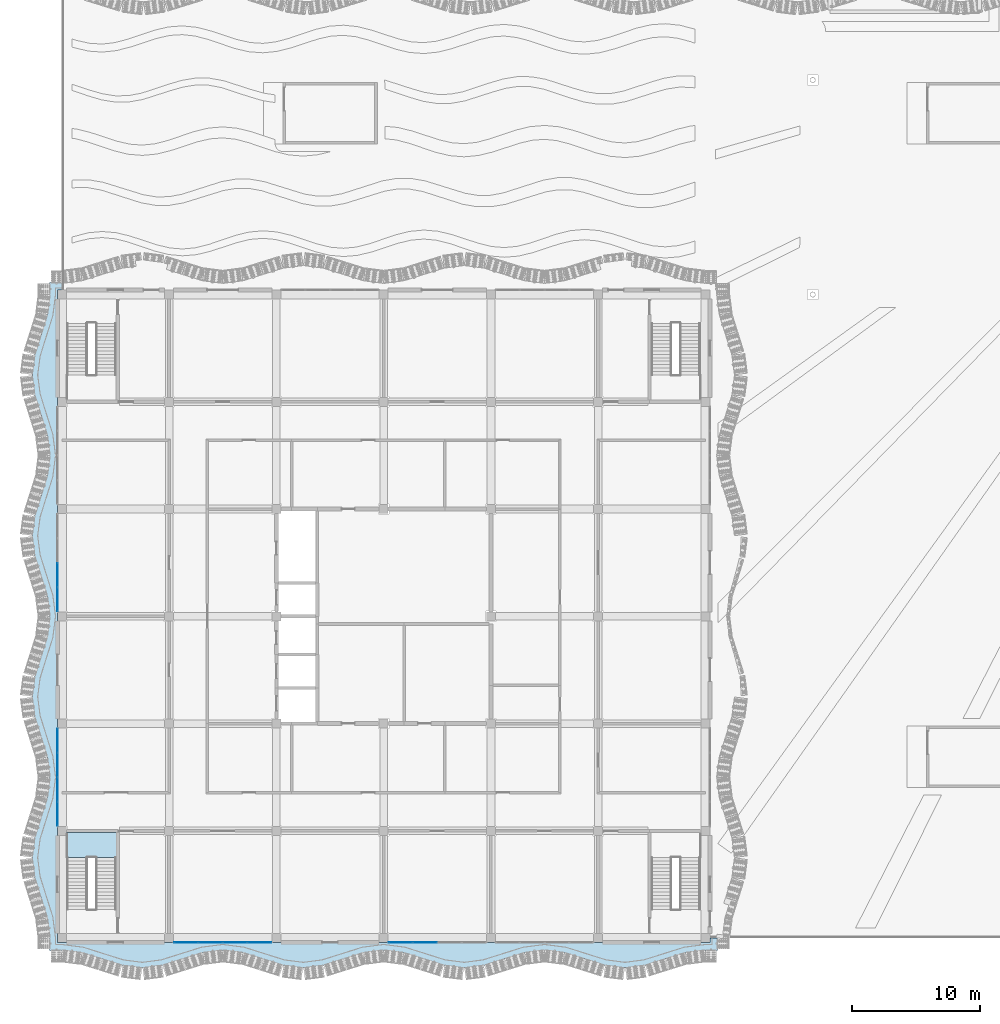
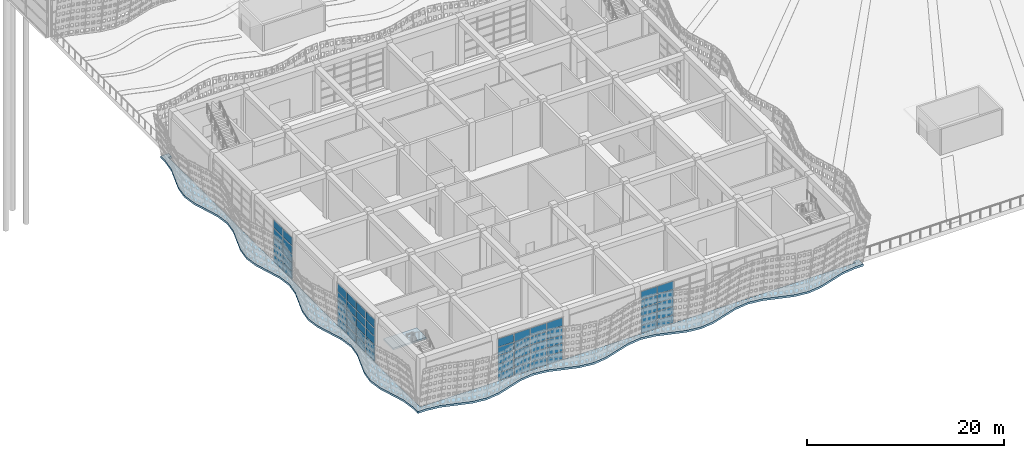
# One storey, part 77 of 210: 60 plates, 2 slabs, 5 elements without a shape of their own.
"""IFC4 building model written with IfcOpenShell, lengths in metres."""

from ifc_helpers import new_model, si_unit, direction, frame, origin, origin_2d, place, context, subcontext, project, spatial, polyline, rectangle, outline, extrude, material, layer, layer_set, type_object, element, aggregate, save


model = new_model("IFC4")

# Units and contexts
model_context = context("Model", 3, precision=1e-05, world=origin(), true_north=direction((0.0, 1.0)))
body_context = subcontext(model_context, "Body", "Model", "MODEL_VIEW")
ifc_project = project(units=[si_unit("LENGTHUNIT", "METRE"), si_unit("AREAUNIT", "SQUARE_METRE"), si_unit("VOLUMEUNIT", "CUBIC_METRE"), si_unit("PLANEANGLEUNIT", "RADIAN"), si_unit("MASSUNIT", "GRAM", prefix="KILO")], contexts=[model_context])

# Site, building, storey
site_placement = place(None, origin())
site = spatial("IfcSite", under=ifc_project, at=site_placement, CompositionType="ELEMENT")
building_placement = place(site_placement, origin())
building = spatial("IfcBuilding", under=site, at=building_placement, Name="Rain Tree Exposition and Congress Centre", CompositionType="ELEMENT")
storey_placement = place(building_placement, origin())
storey = spatial("IfcBuildingStorey", under=building, at=storey_placement, Name="L00", CompositionType="ELEMENT", Elevation=0.0)

# Slab
ifc_material_1 = material(Name="Concrete C40/50", Category="concrete")
ifc_layer_1 = layer(ifc_material_1, 0.25)
ifc_layer_set_1 = layer_set([ifc_layer_1], Name="Concrete C40/50")
slab_type_1 = type_object("IfcSlabType", Name="Wave ledge slab 250", PredefinedType="FLOOR", material=ifc_layer_set_1)
slab_1_placement = place(storey_placement, frame((0.0, 0.0, -0.25)))
element("IfcSlab", 1, at=slab_1_placement, inside=storey, type_object=slab_type_1, Name="wing/ledge/L00/01", PredefinedType="FLOOR", context=body_context, shape_type="SweptSolid", body=[
    extrude(outline(polyline([(-1.155029296875, 1.574951171875), (-0.949951171875, 0.0), (-0.949951171875, -0.949951171875), (0.0, -0.949951171875), (1.574951171875, -1.155029296875), (3.14990234375, -1.64990234375), (4.72509765625, -2.14501953125), (6.300048828125, -2.35009765625), (7.875, -2.14501953125), (9.449951171875, -1.64990234375), (11.02490234375, -1.155029296875), (12.60009765625, -0.949951171875), (14.175048828125, -1.155029296875), (15.75, -1.64990234375), (17.324951171875, -2.14501953125), (18.89990234375, -2.35009765625), (20.47509765625, -2.14501953125), (22.050048828125, -1.64990234375), (23.625, -1.155029296875), (25.199951171875, -0.949951171875), (26.77490234375, -1.155029296875), (28.35009765625, -1.64990234375), (29.925048828125, -2.14501953125), (31.5, -2.35009765625), (33.074951171875, -2.14501953125), (34.64990234375, -1.64990234375), (36.22509765625, -1.155029296875), (37.800048828125, -0.949951171875), (39.375, -1.155029296875), (40.949951171875, -1.64990234375), (42.52490234375, -2.14501953125), (44.10009765625, -2.35009765625), (45.675048828125, -2.14501953125), (47.25, -1.64990234375), (48.824951171875, -1.155029296875), (50.39990234375, -0.949951171875), (51.35009765625, -0.949951171875), (51.35009765625, 0.0), (50.75, 0.0), (50.75, -0.35009765625), (-0.35009765625, -0.35009765625), (-0.35009765625, 50.75), (0.0, 50.75), (0.0, 51.35009765625), (-0.949951171875, 51.35009765625), (-0.949951171875, 50.39990234375), (-1.155029296875, 48.824951171875), (-1.64990234375, 47.25), (-2.14501953125, 45.675048828125), (-2.35009765625, 44.10009765625), (-2.14501953125, 42.52490234375), (-1.64990234375, 40.949951171875), (-1.155029296875, 39.375), (-0.949951171875, 37.800048828125), (-1.155029296875, 36.22509765625), (-1.64990234375, 34.64990234375), (-2.14501953125, 33.074951171875), (-2.35009765625, 31.5), (-2.14501953125, 29.925048828125), (-1.64990234375, 28.35009765625), (-1.155029296875, 26.77490234375), (-0.949951171875, 25.199951171875), (-1.155029296875, 23.625), (-1.64990234375, 22.050048828125), (-2.14501953125, 20.47509765625), (-2.35009765625, 18.89990234375), (-2.14501953125, 17.324951171875), (-1.64990234375, 15.75), (-1.155029296875, 14.175048828125), (-0.949951171875, 12.60009765625), (-1.155029296875, 11.02490234375), (-1.64990234375, 9.449951171875), (-2.14501953125, 7.875), (-2.35009765625, 6.300048828125), (-2.14501953125, 4.72509765625), (-1.64990234375, 3.14990234375), (-1.155029296875, 1.574951171875)])), origin(), (0.0, 0.0, 1.0), 0.25),
])

# Curtain wall, plates
ifc_material_2 = material(Name="Aluminium curtain wall", Category="aluminium")
curtain_wall_type = type_object("IfcCurtainWallType", Name="Wing curtain wall 1925", PredefinedType="NOTDEFINED", material=ifc_material_2)
curtain_wall_1_placement = place(storey_placement, origin())
curtain_wall_1 = element("IfcCurtainWall", 2, at=curtain_wall_1_placement, inside=storey, type_object=curtain_wall_type, Name="Curtain wall CWW101", PredefinedType="NOTDEFINED")
ifc_material_3 = material(Name="Double glazed unit", Category="glass")
ifc_layer_2 = layer(ifc_material_3, 0.028076171875)
ifc_layer_set_2 = layer_set([ifc_layer_2], Name="Double glazed unit")
plate_type = type_object("IfcPlateType", Name="Wing glazing panel 28", PredefinedType="CURTAIN_PANEL", material=ifc_layer_set_2)
plate_1_placement = place(storey_placement, frame((9.7275390625, -0.35009765625, 0.06005859375), z_axis=(0.0, 0.0, 1.0), x_axis=(1.0, 0.0, 0.0)))
plate_1 = element("IfcPlate", 3, at=plate_1_placement, type_object=plate_type, Name="CWW101 panel 1.1", PredefinedType="CURTAIN_PANEL", context=body_context, shape_type="SweptSolid", body=[
    extrude(rectangle(XDim=1.8349609375, YDim=0.028076171875, at=origin_2d()), origin(), (0.0, 0.0, 1.0), 0.9599609375),
])
plate_2_placement = place(storey_placement, frame((9.7275390625, -0.35009765625, 1.080078125), z_axis=(0.0, 0.0, 1.0), x_axis=(1.0, 0.0, 0.0)))
plate_2 = element("IfcPlate", 4, at=plate_2_placement, type_object=plate_type, Name="CWW101 panel 1.2", PredefinedType="CURTAIN_PANEL", context=body_context, shape_type="SweptSolid", body=[
    extrude(rectangle(XDim=1.8349609375, YDim=0.028076171875, at=origin_2d()), origin(), (0.0, 0.0, 1.0), 0.989990234375),
])
plate_3_placement = place(storey_placement, frame((9.7275390625, -0.35009765625, 2.1298828125), z_axis=(0.0, 0.0, 1.0), x_axis=(1.0, 0.0, 0.0)))
plate_3 = element("IfcPlate", 5, at=plate_3_placement, type_object=plate_type, Name="CWW101 panel 1.3", PredefinedType="CURTAIN_PANEL", context=body_context, shape_type="SweptSolid", body=[
    extrude(rectangle(XDim=1.8349609375, YDim=0.028076171875, at=origin_2d()), origin(), (0.0, 0.0, 1.0), 0.989990234375),
])
plate_4_placement = place(storey_placement, frame((9.7275390625, -0.35009765625, 3.18017578125), z_axis=(0.0, 0.0, 1.0), x_axis=(1.0, 0.0, 0.0)))
plate_4 = element("IfcPlate", 6, at=plate_4_placement, type_object=plate_type, Name="CWW101 panel 1.4", PredefinedType="CURTAIN_PANEL", context=body_context, shape_type="SweptSolid", body=[
    extrude(rectangle(XDim=1.8349609375, YDim=0.028076171875, at=origin_2d()), origin(), (0.0, 0.0, 1.0), 0.989990234375),
])
plate_5_placement = place(storey_placement, frame((9.7275390625, -0.35009765625, 4.22998046875), z_axis=(0.0, 0.0, 1.0), x_axis=(1.0, 0.0, 0.0)))
plate_5 = element("IfcPlate", 7, at=plate_5_placement, type_object=plate_type, Name="CWW101 panel 1.5", PredefinedType="CURTAIN_PANEL", context=body_context, shape_type="SweptSolid", body=[
    extrude(rectangle(XDim=1.8349609375, YDim=0.028076171875, at=origin_2d()), origin(), (0.0, 0.0, 1.0), 1.010009765625),
])
plate_6_placement = place(storey_placement, frame((11.637451171875, -0.35009765625, 0.06005859375), z_axis=(0.0, 0.0, 1.0), x_axis=(1.0, 0.0, 0.0)))
plate_6 = element("IfcPlate", 8, at=plate_6_placement, type_object=plate_type, Name="CWW101 panel 2.1", PredefinedType="CURTAIN_PANEL", context=body_context, shape_type="SweptSolid", body=[
    extrude(rectangle(XDim=1.864990234375, YDim=0.028076171875, at=origin_2d()), origin(), (0.0, 0.0, 1.0), 0.9599609375),
])
plate_7_placement = place(storey_placement, frame((11.637451171875, -0.35009765625, 1.080078125), z_axis=(0.0, 0.0, 1.0), x_axis=(1.0, 0.0, 0.0)))
plate_7 = element("IfcPlate", 9, at=plate_7_placement, type_object=plate_type, Name="CWW101 panel 2.2", PredefinedType="CURTAIN_PANEL", context=body_context, shape_type="SweptSolid", body=[
    extrude(rectangle(XDim=1.864990234375, YDim=0.028076171875, at=origin_2d()), origin(), (0.0, 0.0, 1.0), 0.989990234375),
])
plate_8_placement = place(storey_placement, frame((11.637451171875, -0.35009765625, 2.1298828125), z_axis=(0.0, 0.0, 1.0), x_axis=(1.0, 0.0, 0.0)))
plate_8 = element("IfcPlate", 10, at=plate_8_placement, type_object=plate_type, Name="CWW101 panel 2.3", PredefinedType="CURTAIN_PANEL", context=body_context, shape_type="SweptSolid", body=[
    extrude(rectangle(XDim=1.864990234375, YDim=0.028076171875, at=origin_2d()), origin(), (0.0, 0.0, 1.0), 0.989990234375),
])
plate_9_placement = place(storey_placement, frame((11.637451171875, -0.35009765625, 3.18017578125), z_axis=(0.0, 0.0, 1.0), x_axis=(1.0, 0.0, 0.0)))
plate_9 = element("IfcPlate", 11, at=plate_9_placement, type_object=plate_type, Name="CWW101 panel 2.4", PredefinedType="CURTAIN_PANEL", context=body_context, shape_type="SweptSolid", body=[
    extrude(rectangle(XDim=1.864990234375, YDim=0.028076171875, at=origin_2d()), origin(), (0.0, 0.0, 1.0), 0.989990234375),
])
plate_10_placement = place(storey_placement, frame((11.637451171875, -0.35009765625, 4.22998046875), z_axis=(0.0, 0.0, 1.0), x_axis=(1.0, 0.0, 0.0)))
plate_10 = element("IfcPlate", 12, at=plate_10_placement, type_object=plate_type, Name="CWW101 panel 2.5", PredefinedType="CURTAIN_PANEL", context=body_context, shape_type="SweptSolid", body=[
    extrude(rectangle(XDim=1.864990234375, YDim=0.028076171875, at=origin_2d()), origin(), (0.0, 0.0, 1.0), 1.010009765625),
])
plate_11_placement = place(storey_placement, frame((13.5625, -0.35009765625, 0.06005859375), z_axis=(0.0, 0.0, 1.0), x_axis=(1.0, 0.0, 0.0)))
plate_11 = element("IfcPlate", 13, at=plate_11_placement, type_object=plate_type, Name="CWW101 panel 3.1", PredefinedType="CURTAIN_PANEL", context=body_context, shape_type="SweptSolid", body=[
    extrude(rectangle(XDim=1.864990234375, YDim=0.028076171875, at=origin_2d()), origin(), (0.0, 0.0, 1.0), 0.9599609375),
])
plate_12_placement = place(storey_placement, frame((13.5625, -0.35009765625, 1.080078125), z_axis=(0.0, 0.0, 1.0), x_axis=(1.0, 0.0, 0.0)))
plate_12 = element("IfcPlate", 14, at=plate_12_placement, type_object=plate_type, Name="CWW101 panel 3.2", PredefinedType="CURTAIN_PANEL", context=body_context, shape_type="SweptSolid", body=[
    extrude(rectangle(XDim=1.864990234375, YDim=0.028076171875, at=origin_2d()), origin(), (0.0, 0.0, 1.0), 0.989990234375),
])
plate_13_placement = place(storey_placement, frame((13.5625, -0.35009765625, 2.1298828125), z_axis=(0.0, 0.0, 1.0), x_axis=(1.0, 0.0, 0.0)))
plate_13 = element("IfcPlate", 15, at=plate_13_placement, type_object=plate_type, Name="CWW101 panel 3.3", PredefinedType="CURTAIN_PANEL", context=body_context, shape_type="SweptSolid", body=[
    extrude(rectangle(XDim=1.864990234375, YDim=0.028076171875, at=origin_2d()), origin(), (0.0, 0.0, 1.0), 0.989990234375),
])
plate_14_placement = place(storey_placement, frame((13.5625, -0.35009765625, 3.18017578125), z_axis=(0.0, 0.0, 1.0), x_axis=(1.0, 0.0, 0.0)))
plate_14 = element("IfcPlate", 16, at=plate_14_placement, type_object=plate_type, Name="CWW101 panel 3.4", PredefinedType="CURTAIN_PANEL", context=body_context, shape_type="SweptSolid", body=[
    extrude(rectangle(XDim=1.864990234375, YDim=0.028076171875, at=origin_2d()), origin(), (0.0, 0.0, 1.0), 0.989990234375),
])
plate_15_placement = place(storey_placement, frame((13.5625, -0.35009765625, 4.22998046875), z_axis=(0.0, 0.0, 1.0), x_axis=(1.0, 0.0, 0.0)))
plate_15 = element("IfcPlate", 17, at=plate_15_placement, type_object=plate_type, Name="CWW101 panel 3.5", PredefinedType="CURTAIN_PANEL", context=body_context, shape_type="SweptSolid", body=[
    extrude(rectangle(XDim=1.864990234375, YDim=0.028076171875, at=origin_2d()), origin(), (0.0, 0.0, 1.0), 1.010009765625),
])
plate_16_placement = place(storey_placement, frame((15.472412109375, -0.35009765625, 0.06005859375), z_axis=(0.0, 0.0, 1.0), x_axis=(1.0, 0.0, 0.0)))
plate_16 = element("IfcPlate", 18, at=plate_16_placement, type_object=plate_type, Name="CWW101 panel 4.1", PredefinedType="CURTAIN_PANEL", context=body_context, shape_type="SweptSolid", body=[
    extrude(rectangle(XDim=1.8349609375, YDim=0.028076171875, at=origin_2d()), origin(), (0.0, 0.0, 1.0), 0.9599609375),
])
plate_17_placement = place(storey_placement, frame((15.472412109375, -0.35009765625, 1.080078125), z_axis=(0.0, 0.0, 1.0), x_axis=(1.0, 0.0, 0.0)))
plate_17 = element("IfcPlate", 19, at=plate_17_placement, type_object=plate_type, Name="CWW101 panel 4.2", PredefinedType="CURTAIN_PANEL", context=body_context, shape_type="SweptSolid", body=[
    extrude(rectangle(XDim=1.8349609375, YDim=0.028076171875, at=origin_2d()), origin(), (0.0, 0.0, 1.0), 0.989990234375),
])
plate_18_placement = place(storey_placement, frame((15.472412109375, -0.35009765625, 2.1298828125), z_axis=(0.0, 0.0, 1.0), x_axis=(1.0, 0.0, 0.0)))
plate_18 = element("IfcPlate", 20, at=plate_18_placement, type_object=plate_type, Name="CWW101 panel 4.3", PredefinedType="CURTAIN_PANEL", context=body_context, shape_type="SweptSolid", body=[
    extrude(rectangle(XDim=1.8349609375, YDim=0.028076171875, at=origin_2d()), origin(), (0.0, 0.0, 1.0), 0.989990234375),
])
plate_19_placement = place(storey_placement, frame((15.472412109375, -0.35009765625, 3.18017578125), z_axis=(0.0, 0.0, 1.0), x_axis=(1.0, 0.0, 0.0)))
plate_19 = element("IfcPlate", 21, at=plate_19_placement, type_object=plate_type, Name="CWW101 panel 4.4", PredefinedType="CURTAIN_PANEL", context=body_context, shape_type="SweptSolid", body=[
    extrude(rectangle(XDim=1.8349609375, YDim=0.028076171875, at=origin_2d()), origin(), (0.0, 0.0, 1.0), 0.989990234375),
])
plate_20_placement = place(storey_placement, frame((15.472412109375, -0.35009765625, 4.22998046875), z_axis=(0.0, 0.0, 1.0), x_axis=(1.0, 0.0, 0.0)))
plate_20 = element("IfcPlate", 22, at=plate_20_placement, type_object=plate_type, Name="CWW101 panel 4.5", PredefinedType="CURTAIN_PANEL", context=body_context, shape_type="SweptSolid", body=[
    extrude(rectangle(XDim=1.8349609375, YDim=0.028076171875, at=origin_2d()), origin(), (0.0, 0.0, 1.0), 1.010009765625),
])
aggregate(curtain_wall_1, [plate_1, plate_2, plate_3, plate_4, plate_5, plate_6, plate_7, plate_8, plate_9, plate_10, plate_11, plate_12, plate_13, plate_14, plate_15, plate_16, plate_17, plate_18, plate_19, plate_20])

curtain_wall_2_placement = place(storey_placement, origin())
curtain_wall_2 = element("IfcCurtainWall", 23, at=curtain_wall_2_placement, inside=storey, type_object=curtain_wall_type, Name="Curtain wall CWW102", PredefinedType="NOTDEFINED")
plate_21_placement = place(storey_placement, frame((26.527587890625, -0.35009765625, 0.06005859375), z_axis=(0.0, 0.0, 1.0), x_axis=(1.0, 0.0, 0.0)))
plate_21 = element("IfcPlate", 24, at=plate_21_placement, type_object=plate_type, Name="CWW102 panel 1.1", PredefinedType="CURTAIN_PANEL", context=body_context, shape_type="SweptSolid", body=[
    extrude(rectangle(XDim=1.8349609375, YDim=0.028076171875, at=origin_2d()), origin(), (0.0, 0.0, 1.0), 0.9599609375),
])
plate_22_placement = place(storey_placement, frame((26.527587890625, -0.35009765625, 1.080078125), z_axis=(0.0, 0.0, 1.0), x_axis=(1.0, 0.0, 0.0)))
plate_22 = element("IfcPlate", 25, at=plate_22_placement, type_object=plate_type, Name="CWW102 panel 1.2", PredefinedType="CURTAIN_PANEL", context=body_context, shape_type="SweptSolid", body=[
    extrude(rectangle(XDim=1.8349609375, YDim=0.028076171875, at=origin_2d()), origin(), (0.0, 0.0, 1.0), 0.989990234375),
])
plate_23_placement = place(storey_placement, frame((26.527587890625, -0.35009765625, 2.1298828125), z_axis=(0.0, 0.0, 1.0), x_axis=(1.0, 0.0, 0.0)))
plate_23 = element("IfcPlate", 26, at=plate_23_placement, type_object=plate_type, Name="CWW102 panel 1.3", PredefinedType="CURTAIN_PANEL", context=body_context, shape_type="SweptSolid", body=[
    extrude(rectangle(XDim=1.8349609375, YDim=0.028076171875, at=origin_2d()), origin(), (0.0, 0.0, 1.0), 0.989990234375),
])
plate_24_placement = place(storey_placement, frame((26.527587890625, -0.35009765625, 3.18017578125), z_axis=(0.0, 0.0, 1.0), x_axis=(1.0, 0.0, 0.0)))
plate_24 = element("IfcPlate", 27, at=plate_24_placement, type_object=plate_type, Name="CWW102 panel 1.4", PredefinedType="CURTAIN_PANEL", context=body_context, shape_type="SweptSolid", body=[
    extrude(rectangle(XDim=1.8349609375, YDim=0.028076171875, at=origin_2d()), origin(), (0.0, 0.0, 1.0), 0.989990234375),
])
plate_25_placement = place(storey_placement, frame((26.527587890625, -0.35009765625, 4.22998046875), z_axis=(0.0, 0.0, 1.0), x_axis=(1.0, 0.0, 0.0)))
plate_25 = element("IfcPlate", 28, at=plate_25_placement, type_object=plate_type, Name="CWW102 panel 1.5", PredefinedType="CURTAIN_PANEL", context=body_context, shape_type="SweptSolid", body=[
    extrude(rectangle(XDim=1.8349609375, YDim=0.028076171875, at=origin_2d()), origin(), (0.0, 0.0, 1.0), 1.010009765625),
])
plate_26_placement = place(storey_placement, frame((28.4375, -0.35009765625, 0.06005859375), z_axis=(0.0, 0.0, 1.0), x_axis=(1.0, 0.0, 0.0)))
plate_26 = element("IfcPlate", 29, at=plate_26_placement, type_object=plate_type, Name="CWW102 panel 2.1", PredefinedType="CURTAIN_PANEL", context=body_context, shape_type="SweptSolid", body=[
    extrude(rectangle(XDim=1.864990234375, YDim=0.028076171875, at=origin_2d()), origin(), (0.0, 0.0, 1.0), 0.9599609375),
])
plate_27_placement = place(storey_placement, frame((28.4375, -0.35009765625, 1.080078125), z_axis=(0.0, 0.0, 1.0), x_axis=(1.0, 0.0, 0.0)))
plate_27 = element("IfcPlate", 30, at=plate_27_placement, type_object=plate_type, Name="CWW102 panel 2.2", PredefinedType="CURTAIN_PANEL", context=body_context, shape_type="SweptSolid", body=[
    extrude(rectangle(XDim=1.864990234375, YDim=0.028076171875, at=origin_2d()), origin(), (0.0, 0.0, 1.0), 0.989990234375),
])
plate_28_placement = place(storey_placement, frame((28.4375, -0.35009765625, 2.1298828125), z_axis=(0.0, 0.0, 1.0), x_axis=(1.0, 0.0, 0.0)))
plate_28 = element("IfcPlate", 31, at=plate_28_placement, type_object=plate_type, Name="CWW102 panel 2.3", PredefinedType="CURTAIN_PANEL", context=body_context, shape_type="SweptSolid", body=[
    extrude(rectangle(XDim=1.864990234375, YDim=0.028076171875, at=origin_2d()), origin(), (0.0, 0.0, 1.0), 0.989990234375),
])
plate_29_placement = place(storey_placement, frame((28.4375, -0.35009765625, 3.18017578125), z_axis=(0.0, 0.0, 1.0), x_axis=(1.0, 0.0, 0.0)))
plate_29 = element("IfcPlate", 32, at=plate_29_placement, type_object=plate_type, Name="CWW102 panel 2.4", PredefinedType="CURTAIN_PANEL", context=body_context, shape_type="SweptSolid", body=[
    extrude(rectangle(XDim=1.864990234375, YDim=0.028076171875, at=origin_2d()), origin(), (0.0, 0.0, 1.0), 0.989990234375),
])
plate_30_placement = place(storey_placement, frame((28.4375, -0.35009765625, 4.22998046875), z_axis=(0.0, 0.0, 1.0), x_axis=(1.0, 0.0, 0.0)))
plate_30 = element("IfcPlate", 33, at=plate_30_placement, type_object=plate_type, Name="CWW102 panel 2.5", PredefinedType="CURTAIN_PANEL", context=body_context, shape_type="SweptSolid", body=[
    extrude(rectangle(XDim=1.864990234375, YDim=0.028076171875, at=origin_2d()), origin(), (0.0, 0.0, 1.0), 1.010009765625),
])
aggregate(curtain_wall_2, [plate_21, plate_22, plate_23, plate_24, plate_25, plate_26, plate_27, plate_28, plate_29, plate_30])

curtain_wall_3_placement = place(storey_placement, origin())
curtain_wall_3 = element("IfcCurtainWall", 34, at=curtain_wall_3_placement, inside=storey, type_object=curtain_wall_type, Name="Curtain wall CWW106", PredefinedType="NOTDEFINED")
plate_31_placement = place(storey_placement, frame((-0.35009765625, 9.7275390625, 0.06005859375), z_axis=(0.0, 0.0, 1.0), x_axis=(0.0, 1.0, 0.0)))
plate_31 = element("IfcPlate", 35, at=plate_31_placement, type_object=plate_type, Name="CWW106 panel 1.1", PredefinedType="CURTAIN_PANEL", context=body_context, shape_type="SweptSolid", body=[
    extrude(rectangle(XDim=1.8349609375, YDim=0.028076171875, at=origin_2d()), origin(), (0.0, 0.0, 1.0), 0.9599609375),
])
plate_32_placement = place(storey_placement, frame((-0.35009765625, 9.7275390625, 1.080078125), z_axis=(0.0, 0.0, 1.0), x_axis=(0.0, 1.0, 0.0)))
plate_32 = element("IfcPlate", 36, at=plate_32_placement, type_object=plate_type, Name="CWW106 panel 1.2", PredefinedType="CURTAIN_PANEL", context=body_context, shape_type="SweptSolid", body=[
    extrude(rectangle(XDim=1.8349609375, YDim=0.028076171875, at=origin_2d()), origin(), (0.0, 0.0, 1.0), 0.989990234375),
])
plate_33_placement = place(storey_placement, frame((-0.35009765625, 9.7275390625, 2.1298828125), z_axis=(0.0, 0.0, 1.0), x_axis=(0.0, 1.0, 0.0)))
plate_33 = element("IfcPlate", 37, at=plate_33_placement, type_object=plate_type, Name="CWW106 panel 1.3", PredefinedType="CURTAIN_PANEL", context=body_context, shape_type="SweptSolid", body=[
    extrude(rectangle(XDim=1.8349609375, YDim=0.028076171875, at=origin_2d()), origin(), (0.0, 0.0, 1.0), 0.989990234375),
])
plate_34_placement = place(storey_placement, frame((-0.35009765625, 9.7275390625, 3.18017578125), z_axis=(0.0, 0.0, 1.0), x_axis=(0.0, 1.0, 0.0)))
plate_34 = element("IfcPlate", 38, at=plate_34_placement, type_object=plate_type, Name="CWW106 panel 1.4", PredefinedType="CURTAIN_PANEL", context=body_context, shape_type="SweptSolid", body=[
    extrude(rectangle(XDim=1.8349609375, YDim=0.028076171875, at=origin_2d()), origin(), (0.0, 0.0, 1.0), 0.989990234375),
])
plate_35_placement = place(storey_placement, frame((-0.35009765625, 9.7275390625, 4.22998046875), z_axis=(0.0, 0.0, 1.0), x_axis=(0.0, 1.0, 0.0)))
plate_35 = element("IfcPlate", 39, at=plate_35_placement, type_object=plate_type, Name="CWW106 panel 1.5", PredefinedType="CURTAIN_PANEL", context=body_context, shape_type="SweptSolid", body=[
    extrude(rectangle(XDim=1.8349609375, YDim=0.028076171875, at=origin_2d()), origin(), (0.0, 0.0, 1.0), 1.010009765625),
])
plate_36_placement = place(storey_placement, frame((-0.35009765625, 11.637451171875, 0.06005859375), z_axis=(0.0, 0.0, 1.0), x_axis=(0.0, 1.0, 0.0)))
plate_36 = element("IfcPlate", 40, at=plate_36_placement, type_object=plate_type, Name="CWW106 panel 2.1", PredefinedType="CURTAIN_PANEL", context=body_context, shape_type="SweptSolid", body=[
    extrude(rectangle(XDim=1.864990234375, YDim=0.028076171875, at=origin_2d()), origin(), (0.0, 0.0, 1.0), 0.9599609375),
])
plate_37_placement = place(storey_placement, frame((-0.35009765625, 11.637451171875, 1.080078125), z_axis=(0.0, 0.0, 1.0), x_axis=(0.0, 1.0, 0.0)))
plate_37 = element("IfcPlate", 41, at=plate_37_placement, type_object=plate_type, Name="CWW106 panel 2.2", PredefinedType="CURTAIN_PANEL", context=body_context, shape_type="SweptSolid", body=[
    extrude(rectangle(XDim=1.864990234375, YDim=0.028076171875, at=origin_2d()), origin(), (0.0, 0.0, 1.0), 0.989990234375),
])
plate_38_placement = place(storey_placement, frame((-0.35009765625, 11.637451171875, 2.1298828125), z_axis=(0.0, 0.0, 1.0), x_axis=(0.0, 1.0, 0.0)))
plate_38 = element("IfcPlate", 42, at=plate_38_placement, type_object=plate_type, Name="CWW106 panel 2.3", PredefinedType="CURTAIN_PANEL", context=body_context, shape_type="SweptSolid", body=[
    extrude(rectangle(XDim=1.864990234375, YDim=0.028076171875, at=origin_2d()), origin(), (0.0, 0.0, 1.0), 0.989990234375),
])
plate_39_placement = place(storey_placement, frame((-0.35009765625, 11.637451171875, 3.18017578125), z_axis=(0.0, 0.0, 1.0), x_axis=(0.0, 1.0, 0.0)))
plate_39 = element("IfcPlate", 43, at=plate_39_placement, type_object=plate_type, Name="CWW106 panel 2.4", PredefinedType="CURTAIN_PANEL", context=body_context, shape_type="SweptSolid", body=[
    extrude(rectangle(XDim=1.864990234375, YDim=0.028076171875, at=origin_2d()), origin(), (0.0, 0.0, 1.0), 0.989990234375),
])
plate_40_placement = place(storey_placement, frame((-0.35009765625, 11.637451171875, 4.22998046875), z_axis=(0.0, 0.0, 1.0), x_axis=(0.0, 1.0, 0.0)))
plate_40 = element("IfcPlate", 44, at=plate_40_placement, type_object=plate_type, Name="CWW106 panel 2.5", PredefinedType="CURTAIN_PANEL", context=body_context, shape_type="SweptSolid", body=[
    extrude(rectangle(XDim=1.864990234375, YDim=0.028076171875, at=origin_2d()), origin(), (0.0, 0.0, 1.0), 1.010009765625),
])
plate_41_placement = place(storey_placement, frame((-0.35009765625, 13.5625, 0.06005859375), z_axis=(0.0, 0.0, 1.0), x_axis=(0.0, 1.0, 0.0)))
plate_41 = element("IfcPlate", 45, at=plate_41_placement, type_object=plate_type, Name="CWW106 panel 3.1", PredefinedType="CURTAIN_PANEL", context=body_context, shape_type="SweptSolid", body=[
    extrude(rectangle(XDim=1.864990234375, YDim=0.028076171875, at=origin_2d()), origin(), (0.0, 0.0, 1.0), 0.9599609375),
])
plate_42_placement = place(storey_placement, frame((-0.35009765625, 13.5625, 1.080078125), z_axis=(0.0, 0.0, 1.0), x_axis=(0.0, 1.0, 0.0)))
plate_42 = element("IfcPlate", 46, at=plate_42_placement, type_object=plate_type, Name="CWW106 panel 3.2", PredefinedType="CURTAIN_PANEL", context=body_context, shape_type="SweptSolid", body=[
    extrude(rectangle(XDim=1.864990234375, YDim=0.028076171875, at=origin_2d()), origin(), (0.0, 0.0, 1.0), 0.989990234375),
])
plate_43_placement = place(storey_placement, frame((-0.35009765625, 13.5625, 2.1298828125), z_axis=(0.0, 0.0, 1.0), x_axis=(0.0, 1.0, 0.0)))
plate_43 = element("IfcPlate", 47, at=plate_43_placement, type_object=plate_type, Name="CWW106 panel 3.3", PredefinedType="CURTAIN_PANEL", context=body_context, shape_type="SweptSolid", body=[
    extrude(rectangle(XDim=1.864990234375, YDim=0.028076171875, at=origin_2d()), origin(), (0.0, 0.0, 1.0), 0.989990234375),
])
plate_44_placement = place(storey_placement, frame((-0.35009765625, 13.5625, 3.18017578125), z_axis=(0.0, 0.0, 1.0), x_axis=(0.0, 1.0, 0.0)))
plate_44 = element("IfcPlate", 48, at=plate_44_placement, type_object=plate_type, Name="CWW106 panel 3.4", PredefinedType="CURTAIN_PANEL", context=body_context, shape_type="SweptSolid", body=[
    extrude(rectangle(XDim=1.864990234375, YDim=0.028076171875, at=origin_2d()), origin(), (0.0, 0.0, 1.0), 0.989990234375),
])
plate_45_placement = place(storey_placement, frame((-0.35009765625, 13.5625, 4.22998046875), z_axis=(0.0, 0.0, 1.0), x_axis=(0.0, 1.0, 0.0)))
plate_45 = element("IfcPlate", 49, at=plate_45_placement, type_object=plate_type, Name="CWW106 panel 3.5", PredefinedType="CURTAIN_PANEL", context=body_context, shape_type="SweptSolid", body=[
    extrude(rectangle(XDim=1.864990234375, YDim=0.028076171875, at=origin_2d()), origin(), (0.0, 0.0, 1.0), 1.010009765625),
])
plate_46_placement = place(storey_placement, frame((-0.35009765625, 15.472412109375, 0.06005859375), z_axis=(0.0, 0.0, 1.0), x_axis=(0.0, 1.0, 0.0)))
plate_46 = element("IfcPlate", 50, at=plate_46_placement, type_object=plate_type, Name="CWW106 panel 4.1", PredefinedType="CURTAIN_PANEL", context=body_context, shape_type="SweptSolid", body=[
    extrude(rectangle(XDim=1.8349609375, YDim=0.028076171875, at=origin_2d()), origin(), (0.0, 0.0, 1.0), 0.9599609375),
])
plate_47_placement = place(storey_placement, frame((-0.35009765625, 15.472412109375, 1.080078125), z_axis=(0.0, 0.0, 1.0), x_axis=(0.0, 1.0, 0.0)))
plate_47 = element("IfcPlate", 51, at=plate_47_placement, type_object=plate_type, Name="CWW106 panel 4.2", PredefinedType="CURTAIN_PANEL", context=body_context, shape_type="SweptSolid", body=[
    extrude(rectangle(XDim=1.8349609375, YDim=0.028076171875, at=origin_2d()), origin(), (0.0, 0.0, 1.0), 0.989990234375),
])
plate_48_placement = place(storey_placement, frame((-0.35009765625, 15.472412109375, 2.1298828125), z_axis=(0.0, 0.0, 1.0), x_axis=(0.0, 1.0, 0.0)))
plate_48 = element("IfcPlate", 52, at=plate_48_placement, type_object=plate_type, Name="CWW106 panel 4.3", PredefinedType="CURTAIN_PANEL", context=body_context, shape_type="SweptSolid", body=[
    extrude(rectangle(XDim=1.8349609375, YDim=0.028076171875, at=origin_2d()), origin(), (0.0, 0.0, 1.0), 0.989990234375),
])
plate_49_placement = place(storey_placement, frame((-0.35009765625, 15.472412109375, 3.18017578125), z_axis=(0.0, 0.0, 1.0), x_axis=(0.0, 1.0, 0.0)))
plate_49 = element("IfcPlate", 53, at=plate_49_placement, type_object=plate_type, Name="CWW106 panel 4.4", PredefinedType="CURTAIN_PANEL", context=body_context, shape_type="SweptSolid", body=[
    extrude(rectangle(XDim=1.8349609375, YDim=0.028076171875, at=origin_2d()), origin(), (0.0, 0.0, 1.0), 0.989990234375),
])
plate_50_placement = place(storey_placement, frame((-0.35009765625, 15.472412109375, 4.22998046875), z_axis=(0.0, 0.0, 1.0), x_axis=(0.0, 1.0, 0.0)))
plate_50 = element("IfcPlate", 54, at=plate_50_placement, type_object=plate_type, Name="CWW106 panel 4.5", PredefinedType="CURTAIN_PANEL", context=body_context, shape_type="SweptSolid", body=[
    extrude(rectangle(XDim=1.8349609375, YDim=0.028076171875, at=origin_2d()), origin(), (0.0, 0.0, 1.0), 1.010009765625),
])
aggregate(curtain_wall_3, [plate_31, plate_32, plate_33, plate_34, plate_35, plate_36, plate_37, plate_38, plate_39, plate_40, plate_41, plate_42, plate_43, plate_44, plate_45, plate_46, plate_47, plate_48, plate_49, plate_50])

curtain_wall_4_placement = place(storey_placement, origin())
curtain_wall_4 = element("IfcCurtainWall", 55, at=curtain_wall_4_placement, inside=storey, type_object=curtain_wall_type, Name="Curtain wall CWW107", PredefinedType="NOTDEFINED")
plate_51_placement = place(storey_placement, frame((-0.35009765625, 26.527587890625, 0.06005859375), z_axis=(0.0, 0.0, 1.0), x_axis=(0.0, 1.0, 0.0)))
plate_51 = element("IfcPlate", 56, at=plate_51_placement, type_object=plate_type, Name="CWW107 panel 1.1", PredefinedType="CURTAIN_PANEL", context=body_context, shape_type="SweptSolid", body=[
    extrude(rectangle(XDim=1.8349609375, YDim=0.028076171875, at=origin_2d()), origin(), (0.0, 0.0, 1.0), 0.9599609375),
])
plate_52_placement = place(storey_placement, frame((-0.35009765625, 26.527587890625, 1.080078125), z_axis=(0.0, 0.0, 1.0), x_axis=(0.0, 1.0, 0.0)))
plate_52 = element("IfcPlate", 57, at=plate_52_placement, type_object=plate_type, Name="CWW107 panel 1.2", PredefinedType="CURTAIN_PANEL", context=body_context, shape_type="SweptSolid", body=[
    extrude(rectangle(XDim=1.8349609375, YDim=0.028076171875, at=origin_2d()), origin(), (0.0, 0.0, 1.0), 0.989990234375),
])
plate_53_placement = place(storey_placement, frame((-0.35009765625, 26.527587890625, 2.1298828125), z_axis=(0.0, 0.0, 1.0), x_axis=(0.0, 1.0, 0.0)))
plate_53 = element("IfcPlate", 58, at=plate_53_placement, type_object=plate_type, Name="CWW107 panel 1.3", PredefinedType="CURTAIN_PANEL", context=body_context, shape_type="SweptSolid", body=[
    extrude(rectangle(XDim=1.8349609375, YDim=0.028076171875, at=origin_2d()), origin(), (0.0, 0.0, 1.0), 0.989990234375),
])
plate_54_placement = place(storey_placement, frame((-0.35009765625, 26.527587890625, 3.18017578125), z_axis=(0.0, 0.0, 1.0), x_axis=(0.0, 1.0, 0.0)))
plate_54 = element("IfcPlate", 59, at=plate_54_placement, type_object=plate_type, Name="CWW107 panel 1.4", PredefinedType="CURTAIN_PANEL", context=body_context, shape_type="SweptSolid", body=[
    extrude(rectangle(XDim=1.8349609375, YDim=0.028076171875, at=origin_2d()), origin(), (0.0, 0.0, 1.0), 0.989990234375),
])
plate_55_placement = place(storey_placement, frame((-0.35009765625, 26.527587890625, 4.22998046875), z_axis=(0.0, 0.0, 1.0), x_axis=(0.0, 1.0, 0.0)))
plate_55 = element("IfcPlate", 60, at=plate_55_placement, type_object=plate_type, Name="CWW107 panel 1.5", PredefinedType="CURTAIN_PANEL", context=body_context, shape_type="SweptSolid", body=[
    extrude(rectangle(XDim=1.8349609375, YDim=0.028076171875, at=origin_2d()), origin(), (0.0, 0.0, 1.0), 1.010009765625),
])
plate_56_placement = place(storey_placement, frame((-0.35009765625, 28.4375, 0.06005859375), z_axis=(0.0, 0.0, 1.0), x_axis=(0.0, 1.0, 0.0)))
plate_56 = element("IfcPlate", 61, at=plate_56_placement, type_object=plate_type, Name="CWW107 panel 2.1", PredefinedType="CURTAIN_PANEL", context=body_context, shape_type="SweptSolid", body=[
    extrude(rectangle(XDim=1.864990234375, YDim=0.028076171875, at=origin_2d()), origin(), (0.0, 0.0, 1.0), 0.9599609375),
])
plate_57_placement = place(storey_placement, frame((-0.35009765625, 28.4375, 1.080078125), z_axis=(0.0, 0.0, 1.0), x_axis=(0.0, 1.0, 0.0)))
plate_57 = element("IfcPlate", 62, at=plate_57_placement, type_object=plate_type, Name="CWW107 panel 2.2", PredefinedType="CURTAIN_PANEL", context=body_context, shape_type="SweptSolid", body=[
    extrude(rectangle(XDim=1.864990234375, YDim=0.028076171875, at=origin_2d()), origin(), (0.0, 0.0, 1.0), 0.989990234375),
])
plate_58_placement = place(storey_placement, frame((-0.35009765625, 28.4375, 2.1298828125), z_axis=(0.0, 0.0, 1.0), x_axis=(0.0, 1.0, 0.0)))
plate_58 = element("IfcPlate", 63, at=plate_58_placement, type_object=plate_type, Name="CWW107 panel 2.3", PredefinedType="CURTAIN_PANEL", context=body_context, shape_type="SweptSolid", body=[
    extrude(rectangle(XDim=1.864990234375, YDim=0.028076171875, at=origin_2d()), origin(), (0.0, 0.0, 1.0), 0.989990234375),
])
plate_59_placement = place(storey_placement, frame((-0.35009765625, 28.4375, 3.18017578125), z_axis=(0.0, 0.0, 1.0), x_axis=(0.0, 1.0, 0.0)))
plate_59 = element("IfcPlate", 64, at=plate_59_placement, type_object=plate_type, Name="CWW107 panel 2.4", PredefinedType="CURTAIN_PANEL", context=body_context, shape_type="SweptSolid", body=[
    extrude(rectangle(XDim=1.864990234375, YDim=0.028076171875, at=origin_2d()), origin(), (0.0, 0.0, 1.0), 0.989990234375),
])
plate_60_placement = place(storey_placement, frame((-0.35009765625, 28.4375, 4.22998046875), z_axis=(0.0, 0.0, 1.0), x_axis=(0.0, 1.0, 0.0)))
plate_60 = element("IfcPlate", 65, at=plate_60_placement, type_object=plate_type, Name="CWW107 panel 2.5", PredefinedType="CURTAIN_PANEL", context=body_context, shape_type="SweptSolid", body=[
    extrude(rectangle(XDim=1.864990234375, YDim=0.028076171875, at=origin_2d()), origin(), (0.0, 0.0, 1.0), 1.010009765625),
])
aggregate(curtain_wall_4, [plate_51, plate_52, plate_53, plate_54, plate_55, plate_56, plate_57, plate_58, plate_59, plate_60])

# Stair, slab
ifc_material_4 = material(Name="Precast concrete C50/60", Category="concrete")
stair_type = type_object("IfcStairType", Name="Wing dog-leg stair 1600", PredefinedType="HALF_TURN_STAIR", material=ifc_material_4)
stair_placement = place(storey_placement, origin())
stair = element("IfcStair", 66, at=stair_placement, inside=storey, type_object=stair_type, Name="L00 ST-W1", PredefinedType="HALF_TURN_STAIR")
ifc_material_5 = material(Name="Precast concrete C50/60", Category="concrete")
ifc_layer_3 = layer(ifc_material_5, 0.199951171875)
ifc_layer_set_3 = layer_set([ifc_layer_3], Name="Precast concrete C50/60")
slab_type_2 = type_object("IfcSlabType", Name="Wing stair landing 200", PredefinedType="LANDING", material=ifc_layer_set_3)
slab_2_placement = place(storey_placement, frame((0.0, 0.0, 2.800048828125)))
slab_2 = element("IfcSlab", 67, at=slab_2_placement, type_object=slab_type_2, Name="ST-W1 landing 1", PredefinedType="LANDING", context=body_context, shape_type="SweptSolid", body=[
    extrude(outline(polyline([(4.27490234375, 6.300048828125), (4.27490234375, 8.278076171875), (0.346923828125, 8.278076171875), (0.346923828125, 6.300048828125), (4.27490234375, 6.300048828125)])), origin(), (0.0, 0.0, 1.0), 0.199951171875),
])
aggregate(stair, [slab_2])

save(model, "model.ifc")
